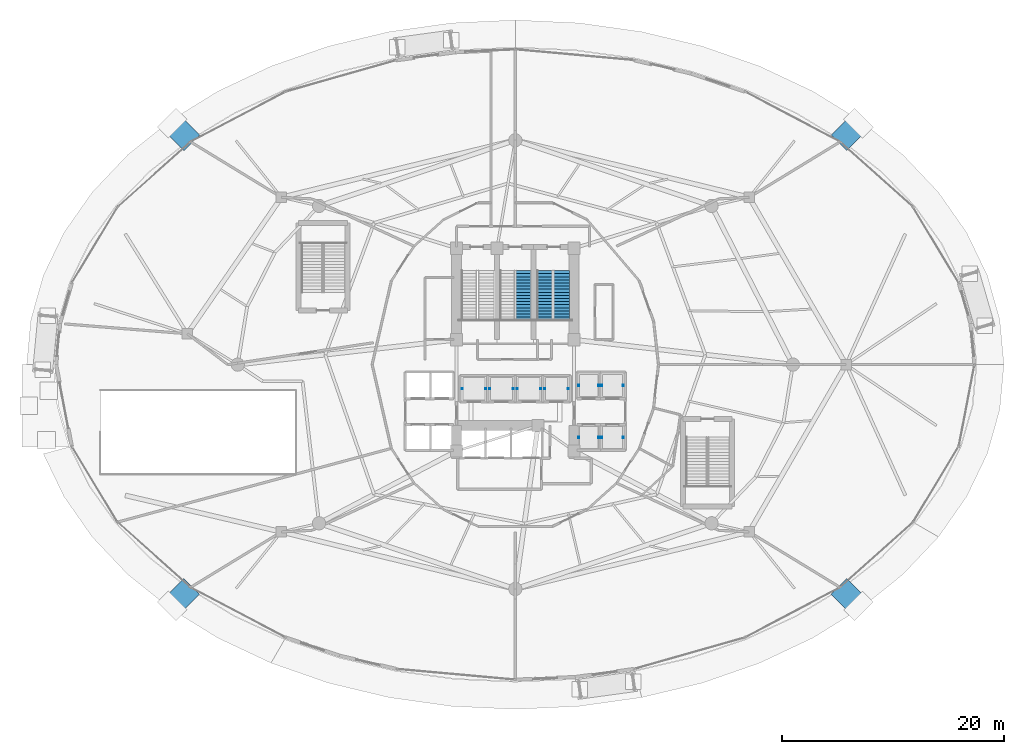
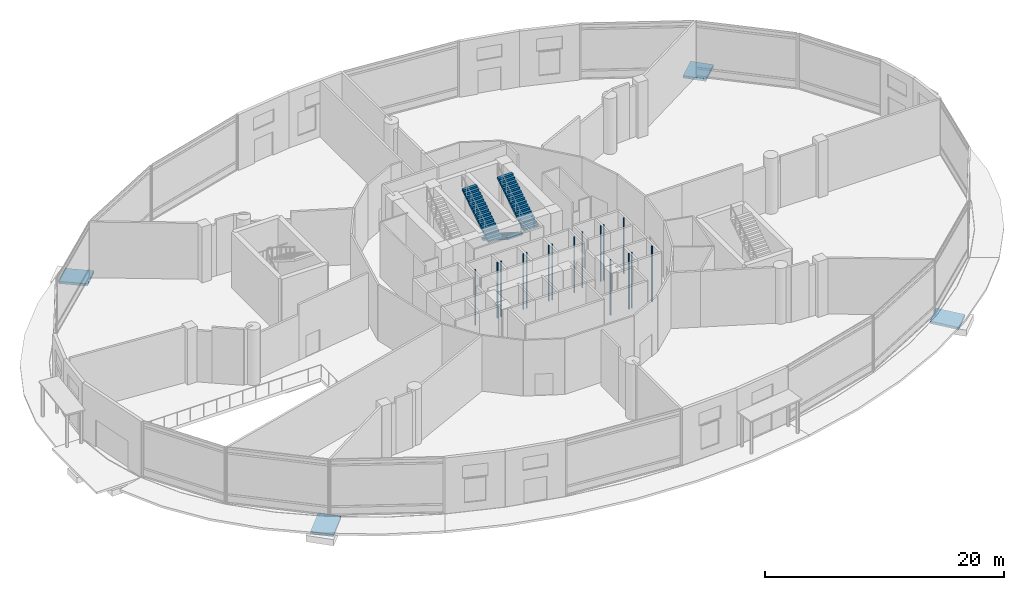
# One storey, part 36 of 40: 8 discrete accessories, 4 ramp flights, 3 stair flights, 6 elements without a shape of their own.
"""IFC4 building model written with IfcOpenShell, lengths in metres."""

from ifc_helpers import new_model, si_unit, direction, frame, origin, origin_2d, place, context, subcontext, project, spatial, polyline, rectangle, outline, extrude, material, layer, layer_set, type_object, element, aggregate, save


model = new_model("IFC4")

# Units and contexts
model_context = context("Model", 3, precision=1e-05, world=origin(), true_north=direction((0.0, 1.0)))
body_context = subcontext(model_context, "Body", "Model", "MODEL_VIEW")
ifc_project = project(units=[si_unit("LENGTHUNIT", "METRE"), si_unit("AREAUNIT", "SQUARE_METRE"), si_unit("VOLUMEUNIT", "CUBIC_METRE"), si_unit("PLANEANGLEUNIT", "RADIAN"), si_unit("MASSUNIT", "GRAM", prefix="KILO")], contexts=[model_context])

# Site, building, storey
site_placement = place(None, origin())
site = spatial("IfcSite", under=ifc_project, at=site_placement, CompositionType="ELEMENT")
building_placement = place(site_placement, origin())
building = spatial("IfcBuilding", under=site, at=building_placement, Name="Nuhasar Tower", CompositionType="ELEMENT")
storey_placement = place(building_placement, origin())
storey = spatial("IfcBuildingStorey", under=building, at=storey_placement, Name="L00", CompositionType="ELEMENT", Elevation=0.0)

# Stair, stair flights
ifc_material_1 = material(Name="Concrete C45/55", Category="concrete")
stair_type_1 = type_object("IfcStairType", Name="STR-ST-02-2F-34R-1765", PredefinedType="HALF_TURN_STAIR", material=ifc_material_1)
stair_1_placement = place(storey_placement, origin())
stair_1 = element("IfcStair", 1, at=stair_1_placement, inside=storey, type_object=stair_type_1, Name="L00 Exit Stair ST-02", PredefinedType="HALF_TURN_STAIR")
stair_flight_type_1 = type_object("IfcStairFlightType", Name="SFL-ST-02-17R-1765", PredefinedType="STRAIGHT", material=ifc_material_1)
stair_flight_1_placement = place(storey_placement, frame((41.64990234375, 35.284912109375, 0.0), z_axis=(0.0, 0.0, 1.0), x_axis=(0.0, -1.0, 0.0)))
stair_flight_1 = element("IfcStairFlight", 2, at=stair_flight_1_placement, type_object=stair_flight_type_1, Name="ST-02 flight 1", NumberOfRisers=17, NumberOfTreads=16, PredefinedType="STRAIGHT", RiserHeight=0.176471, TreadLength=0.28, context=body_context, shape_type="SweptSolid", body=[
    extrude(outline(polyline([(0.0, 0.0), (0.0, 0.176513671875), (0.280029296875, 0.176513671875), (0.280029296875, 0.35302734375), (0.56005859375, 0.35302734375), (0.56005859375, 0.529296875), (0.840087890625, 0.529296875), (0.840087890625, 0.705810546875), (1.1201171875, 0.705810546875), (1.1201171875, 0.88232421875), (1.39990234375, 0.88232421875), (1.39990234375, 1.058837890625), (1.679931640625, 1.058837890625), (1.679931640625, 1.2353515625), (1.9599609375, 1.2353515625), (1.9599609375, 1.411865234375), (2.239990234375, 1.411865234375), (2.239990234375, 1.588134765625), (2.52001953125, 1.588134765625), (2.52001953125, 1.7646484375), (2.800048828125, 1.7646484375), (2.800048828125, 1.941162109375), (3.080078125, 1.941162109375), (3.080078125, 2.11767578125), (3.360107421875, 2.11767578125), (3.360107421875, 2.294189453125), (3.639892578125, 2.294189453125), (3.639892578125, 2.470703125), (3.919921875, 2.470703125), (3.919921875, 2.64697265625), (4.199951171875, 2.64697265625), (4.199951171875, 2.823486328125), (4.47998046875, 2.823486328125), (4.47998046875, 3.0), (4.47998046875, 2.634521484375), (0.2998046875, 0.0), (0.0, 0.0)])), frame((0.0, 0.7099609375, 0.0), z_axis=(0.0, -1.0, 0.0), x_axis=(1.0, 0.0, 0.0)), (0.0, 0.0, 1.0), 1.419921875),
])
stair_flight_2_placement = place(storey_placement, frame((43.169921875, 30.804931640625, 3.0), z_axis=(0.0, 0.0, 1.0), x_axis=(0.0, 1.0, 0.0)))
stair_flight_2 = element("IfcStairFlight", 3, at=stair_flight_2_placement, type_object=stair_flight_type_1, Name="ST-02 flight 2", NumberOfRisers=17, NumberOfTreads=16, PredefinedType="STRAIGHT", RiserHeight=0.176471, TreadLength=0.28, context=body_context, shape_type="SweptSolid", body=[
    extrude(outline(polyline([(0.0, 0.0), (0.0, 0.176513671875), (0.280029296875, 0.176513671875), (0.280029296875, 0.35302734375), (0.56005859375, 0.35302734375), (0.56005859375, 0.529296875), (0.840087890625, 0.529296875), (0.840087890625, 0.705810546875), (1.1201171875, 0.705810546875), (1.1201171875, 0.88232421875), (1.39990234375, 0.88232421875), (1.39990234375, 1.058837890625), (1.679931640625, 1.058837890625), (1.679931640625, 1.2353515625), (1.9599609375, 1.2353515625), (1.9599609375, 1.411865234375), (2.239990234375, 1.411865234375), (2.239990234375, 1.588134765625), (2.52001953125, 1.588134765625), (2.52001953125, 1.7646484375), (2.800048828125, 1.7646484375), (2.800048828125, 1.941162109375), (3.080078125, 1.941162109375), (3.080078125, 2.11767578125), (3.360107421875, 2.11767578125), (3.360107421875, 2.294189453125), (3.639892578125, 2.294189453125), (3.639892578125, 2.470703125), (3.919921875, 2.470703125), (3.919921875, 2.64697265625), (4.199951171875, 2.64697265625), (4.199951171875, 2.823486328125), (4.47998046875, 2.823486328125), (4.47998046875, 3.0), (4.47998046875, 2.634521484375), (0.2998046875, 0.0), (0.0, 0.0)])), frame((0.0, 0.7099609375, 0.0), z_axis=(0.0, -1.0, 0.0), x_axis=(1.0, 0.0, 0.0)), (0.0, 0.0, 1.0), 1.419921875),
])
aggregate(stair_1, [stair_flight_1, stair_flight_2])

# Stair, stair flight
stair_type_2 = type_object("IfcStairType", Name="STR-ST-03-2F-34R-1765", PredefinedType="HALF_TURN_STAIR", material=ifc_material_1)
stair_2_placement = place(storey_placement, origin())
stair_2 = element("IfcStair", 4, at=stair_2_placement, inside=storey, type_object=stair_type_2, Name="L00 Exit Stair ST-03", PredefinedType="HALF_TURN_STAIR")
stair_flight_type_2 = type_object("IfcStairFlightType", Name="SFL-ST-03-17R-1765", PredefinedType="STRAIGHT", material=ifc_material_1)
stair_flight_3_placement = place(storey_placement, frame((39.719970703125, 30.804931640625, 3.0), z_axis=(0.0, 0.0, 1.0), x_axis=(0.0, 1.0, 0.0)))
stair_flight_3 = element("IfcStairFlight", 5, at=stair_flight_3_placement, type_object=stair_flight_type_2, Name="ST-03 flight 2", NumberOfRisers=17, NumberOfTreads=16, PredefinedType="STRAIGHT", RiserHeight=0.176471, TreadLength=0.28, context=body_context, shape_type="SweptSolid", body=[
    extrude(outline(polyline([(0.0, 0.0), (0.0, 0.176513671875), (0.280029296875, 0.176513671875), (0.280029296875, 0.35302734375), (0.56005859375, 0.35302734375), (0.56005859375, 0.529296875), (0.840087890625, 0.529296875), (0.840087890625, 0.705810546875), (1.1201171875, 0.705810546875), (1.1201171875, 0.88232421875), (1.39990234375, 0.88232421875), (1.39990234375, 1.058837890625), (1.679931640625, 1.058837890625), (1.679931640625, 1.2353515625), (1.9599609375, 1.2353515625), (1.9599609375, 1.411865234375), (2.239990234375, 1.411865234375), (2.239990234375, 1.588134765625), (2.52001953125, 1.588134765625), (2.52001953125, 1.7646484375), (2.800048828125, 1.7646484375), (2.800048828125, 1.941162109375), (3.080078125, 1.941162109375), (3.080078125, 2.11767578125), (3.360107421875, 2.11767578125), (3.360107421875, 2.294189453125), (3.639892578125, 2.294189453125), (3.639892578125, 2.470703125), (3.919921875, 2.470703125), (3.919921875, 2.64697265625), (4.199951171875, 2.64697265625), (4.199951171875, 2.823486328125), (4.47998046875, 2.823486328125), (4.47998046875, 3.0), (4.47998046875, 2.634521484375), (0.2998046875, 0.0), (0.0, 0.0)])), frame((0.0, 0.669921875, 0.0), z_axis=(0.0, -1.0, 0.0), x_axis=(1.0, 0.0, 0.0)), (0.0, 0.0, 1.0), 1.340087890625),
])
aggregate(stair_2, [stair_flight_3])

# Ramp, ramp flight
ifc_material_2 = material(Name="Concrete C40/50", Category="concrete")
ramp_type = type_object("IfcRampType", Name="RMP-PED-200", PredefinedType="STRAIGHT_RUN_RAMP", material=ifc_material_2)
ramp_1_placement = place(storey_placement, origin())
ramp_1 = element("IfcRamp", 6, at=ramp_1_placement, inside=storey, type_object=ramp_type, Name="L00 Accessible Entrance Ramp NE", PredefinedType="STRAIGHT_RUN_RAMP")
ifc_layer = layer(ifc_material_2, 0.239990234375)
ifc_layer_set = layer_set([ifc_layer], Name="Concrete C40/50")
ramp_flight_type = type_object("IfcRampFlightType", Name="RMPFL-PED-200", PredefinedType="STRAIGHT", material=ifc_layer_set)
ramp_flight_1_placement = place(storey_placement, frame((68.910888671875, 46.10400390625, 0.0), z_axis=(0.056367089666, 0.05638655512, 0.996816586742), x_axis=(0.704661029716, 0.705050452713, -0.079728867595)))
ramp_flight_1 = element("IfcRampFlight", 7, at=ramp_flight_1_placement, type_object=ramp_flight_type, Name="L00 Accessible Entrance Ramp Flight NE", PredefinedType="STRAIGHT", context=body_context, shape_type="SweptSolid", body=[
    extrude(outline(polyline([(0.0, 0.0), (2.507717249559659, -1.7801583232675278e-16), (2.5080957865586666, 1.9996137036269015), (3.455930456486289e-05, 2.000304332716869), (0.0, 0.0)])), origin(), (0.079728867595, -8.234094e-06, -0.996816586742), 0.24072265625),
])
aggregate(ramp_1, [ramp_flight_1])

ramp_2_placement = place(storey_placement, origin())
ramp_2 = element("IfcRamp", 8, at=ramp_2_placement, inside=storey, type_object=ramp_type, Name="L00 Accessible Entrance Ramp NW", PredefinedType="STRAIGHT_RUN_RAMP")
ramp_flight_2_placement = place(storey_placement, frame((10.50390625, 47.51806640625, 0.0), z_axis=(-0.056367089666, 0.05638655512, 0.996816586742), x_axis=(-0.704855768205, 0.704855768098, -0.07972886684)))
ramp_flight_2 = element("IfcRampFlight", 9, at=ramp_flight_2_placement, type_object=ramp_flight_type, Name="L00 Accessible Entrance Ramp Flight NW", PredefinedType="STRAIGHT", context=body_context, shape_type="SweptSolid", body=[
    extrude(outline(polyline([(0.0, 0.0), (2.5080613223412, -1.7509865085640897e-17), (2.508233406419961, 1.999613732051724), (0.0005162519343562266, 2.000304266396531), (0.0, 0.0)])), origin(), (0.07972886684, -1.3720344e-05, -0.996816586742), 0.24072265625),
])
aggregate(ramp_2, [ramp_flight_2])

ramp_3_placement = place(storey_placement, origin())
ramp_3 = element("IfcRamp", 10, at=ramp_3_placement, inside=storey, type_object=ramp_type, Name="L00 Accessible Entrance Ramp SW", PredefinedType="STRAIGHT_RUN_RAMP")
ramp_flight_3_placement = place(storey_placement, frame((9.089111328125, 7.49609375, 0.0), z_axis=(-0.05636758936, -0.05638218732, 0.996816805548), x_axis=(-0.704661184453, -0.705050607463, -0.079726131483)))
ramp_flight_3 = element("IfcRampFlight", 11, at=ramp_flight_3_placement, type_object=ramp_flight_type, Name="L00 Accessible Entrance Ramp Flight SW", PredefinedType="STRAIGHT", context=body_context, shape_type="SweptSolid", body=[
    extrude(outline(polyline([(0.0, 0.0), (2.5077172495124453, 1.7612017259079765e-16), (2.5082679179885408, 1.9997862896196235), (3.4559210138396246e-05, 2.000304332657681), (0.0, 0.0)])), origin(), (0.079726131483, -1.1664221e-05, -0.996816805548), 0.24072265625),
])
aggregate(ramp_3, [ramp_flight_3])

ramp_4_placement = place(storey_placement, origin())
ramp_4 = element("IfcRamp", 12, at=ramp_4_placement, inside=storey, type_object=ramp_type, Name="L00 Accessible Entrance Ramp SE", PredefinedType="STRAIGHT_RUN_RAMP")
ramp_flight_4_placement = place(storey_placement, frame((67.49609375, 6.08203125, 0.0), z_axis=(0.05636758936, -0.05638218732, 0.996816805548), x_axis=(0.704807253348, -0.704904588916, -0.079726132191)))
ramp_flight_4 = element("IfcRampFlight", 13, at=ramp_flight_4_placement, type_object=ramp_flight_type, Name="L00 Accessible Entrance Ramp Flight SE", PredefinedType="STRAIGHT", context=body_context, shape_type="SweptSolid", body=[
    extrude(outline(polyline([(0.0, 0.0), (2.5082334122759335, -7.064932406458668e-17), (2.5080957736994205, 1.9997863607000652), (0.000378577673497249, 2.000304297131407), (0.0, 0.0)])), origin(), (0.079726132191, -4.802177e-06, -0.996816805548), 0.24072265625),
])
aggregate(ramp_4, [ramp_flight_4])

# Discrete accessories
ifc_material_3 = material(Name="Steel S355", Category="steel")
discrete_accessory_type = type_object("IfcDiscreteAccessoryType", Name="ACC-LFT-RAIL", PredefinedType="USERDEFINED", material=ifc_material_3)
discrete_accessory_1_placement = place(storey_placement, frame((44.72998046875, 24.925048828125, 2.85009765625)))
element("IfcDiscreteAccessory", 14, at=discrete_accessory_1_placement, inside=storey, type_object=discrete_accessory_type, Name="Lift Guide Rails PL-M01", ObjectType="LIFT_GUIDE_RAIL", PredefinedType="USERDEFINED", context=body_context, shape_type="SweptSolid", body=[
    extrude(rectangle(XDim=0.090087890625, YDim=0.125, at=origin_2d()), frame((0.0, 0.0, -2.85009765625), z_axis=(0.0, 0.0, 1.0), x_axis=(1.0, 0.0, 0.0)), (0.0, 0.0, 1.0), 5.699951171875),
    extrude(rectangle(XDim=0.090087890625, YDim=0.125, at=origin_2d()), frame((1.7900390625, 0.0, -2.85009765625), z_axis=(0.0, 0.0, 1.0), x_axis=(1.0, 0.0, 0.0)), (0.0, 0.0, 1.0), 5.699951171875),
])
discrete_accessory_2_placement = place(storey_placement, frame((46.804931640625, 24.925048828125, 2.85009765625)))
element("IfcDiscreteAccessory", 15, at=discrete_accessory_2_placement, inside=storey, type_object=discrete_accessory_type, Name="Lift Guide Rails PL-M02", ObjectType="LIFT_GUIDE_RAIL", PredefinedType="USERDEFINED", context=body_context, shape_type="SweptSolid", body=[
    extrude(rectangle(XDim=0.090087890625, YDim=0.125, at=origin_2d()), frame((0.0, 0.0, -2.85009765625), z_axis=(0.0, 0.0, 1.0), x_axis=(1.0, 0.0, 0.0)), (0.0, 0.0, 1.0), 5.699951171875),
    extrude(rectangle(XDim=0.090087890625, YDim=0.125, at=origin_2d()), frame((1.940185546875, 0.0, -2.85009765625), z_axis=(0.0, 0.0, 1.0), x_axis=(1.0, 0.0, 0.0)), (0.0, 0.0, 1.0), 5.699951171875),
])
discrete_accessory_3_placement = place(storey_placement, frame((44.72998046875, 20.22509765625, 2.85009765625)))
element("IfcDiscreteAccessory", 16, at=discrete_accessory_3_placement, inside=storey, type_object=discrete_accessory_type, Name="Lift Guide Rails PL-M03", ObjectType="LIFT_GUIDE_RAIL", PredefinedType="USERDEFINED", context=body_context, shape_type="SweptSolid", body=[
    extrude(rectangle(XDim=0.090087890625, YDim=0.125, at=origin_2d()), frame((0.0, 0.0, -2.85009765625), z_axis=(0.0, 0.0, 1.0), x_axis=(1.0, 0.0, 0.0)), (0.0, 0.0, 1.0), 5.699951171875),
    extrude(rectangle(XDim=0.090087890625, YDim=0.125, at=origin_2d()), frame((1.7900390625, 0.0, -2.85009765625), z_axis=(0.0, 0.0, 1.0), x_axis=(1.0, 0.0, 0.0)), (0.0, 0.0, 1.0), 5.699951171875),
])
discrete_accessory_4_placement = place(storey_placement, frame((46.804931640625, 20.22509765625, 2.85009765625)))
element("IfcDiscreteAccessory", 17, at=discrete_accessory_4_placement, inside=storey, type_object=discrete_accessory_type, Name="Lift Guide Rails PL-M04", ObjectType="LIFT_GUIDE_RAIL", PredefinedType="USERDEFINED", context=body_context, shape_type="SweptSolid", body=[
    extrude(rectangle(XDim=0.090087890625, YDim=0.125, at=origin_2d()), frame((0.0, 0.0, -2.85009765625), z_axis=(0.0, 0.0, 1.0), x_axis=(1.0, 0.0, 0.0)), (0.0, 0.0, 1.0), 5.699951171875),
    extrude(rectangle(XDim=0.090087890625, YDim=0.125, at=origin_2d()), frame((1.940185546875, 0.0, -2.85009765625), z_axis=(0.0, 0.0, 1.0), x_axis=(1.0, 0.0, 0.0)), (0.0, 0.0, 1.0), 5.699951171875),
])
for number, where, name in (
    (18, (34.199951171875, 24.625, 2.85009765625), "Lift Guide Rails PL-H01"),
    (19, (36.679931640625, 24.625, 2.85009765625), "Lift Guide Rails PL-H02"),
    (20, (39.159912109375, 24.625, 2.85009765625), "Lift Guide Rails PL-H03"),
    (21, (41.639892578125, 24.625, 2.85009765625), "Lift Guide Rails PL-H04"),
):
    element("IfcDiscreteAccessory", number, at=place(storey_placement, frame(where)), inside=storey, type_object=discrete_accessory_type, Name=name, ObjectType="LIFT_GUIDE_RAIL", PredefinedType="USERDEFINED", context=body_context, shape_type="SweptSolid", body=[
        extrude(rectangle(XDim=0.090087890625, YDim=0.125, at=origin_2d()), frame((0.0, 0.0, -2.85009765625), z_axis=(0.0, 0.0, 1.0), x_axis=(1.0, 0.0, 0.0)), (0.0, 0.0, 1.0), 5.699951171875),
        extrude(rectangle(XDim=0.090087890625, YDim=0.125, at=origin_2d()), frame((2.14013671875, 0.0, -2.85009765625), z_axis=(0.0, 0.0, 1.0), x_axis=(1.0, 0.0, 0.0)), (0.0, 0.0, 1.0), 5.699951171875),
    ])

save(model, "model.ifc")
